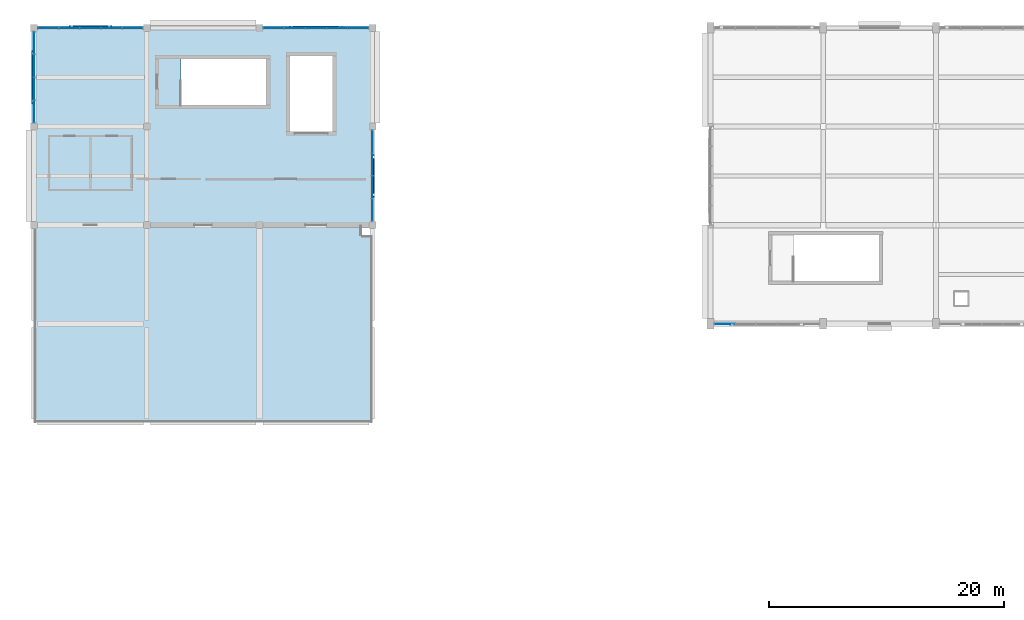
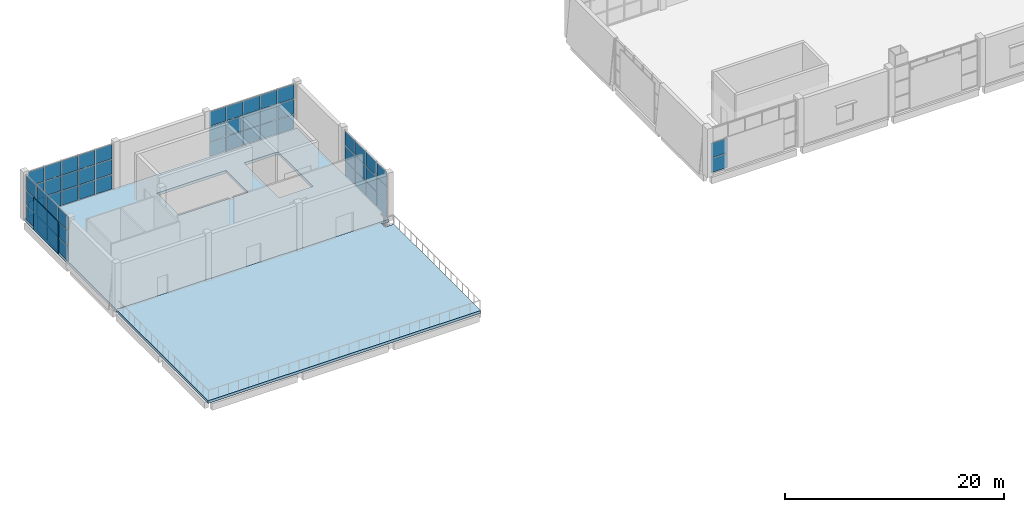
# One storey, part 31 of 57: 60 plates, 2 slabs, 5 elements without a shape of their own.
"""IFC4 building model written with IfcOpenShell, lengths in metres."""

from ifc_helpers import new_model, si_unit, direction, frame, origin, origin_2d, place, context, subcontext, project, spatial, polyline, rectangle, outline, extrude, material, layer, layer_set, type_object, element, aggregate, save


model = new_model("IFC4")

# Units and contexts
model_context = context("Model", 3, precision=1e-05, world=origin(), true_north=direction((0.0, 1.0)))
body_context = subcontext(model_context, "Body", "Model", "MODEL_VIEW")
ifc_project = project(units=[si_unit("LENGTHUNIT", "METRE"), si_unit("AREAUNIT", "SQUARE_METRE"), si_unit("VOLUMEUNIT", "CUBIC_METRE"), si_unit("PLANEANGLEUNIT", "RADIAN"), si_unit("MASSUNIT", "GRAM", prefix="KILO")], contexts=[model_context])

# Site, building, storey
site_placement = place(None, origin())
site = spatial("IfcSite", under=ifc_project, at=site_placement, CompositionType="ELEMENT")
building_placement = place(site_placement, origin())
building = spatial("IfcBuilding", under=site, at=building_placement, Name="Shalvenor Court Art Gallery", CompositionType="ELEMENT")
storey_placement = place(building_placement, frame((0.0, 0.0, 16.800048828125)))
storey = spatial("IfcBuildingStorey", under=building, at=storey_placement, Name="L03", CompositionType="ELEMENT", Elevation=16.800048828125)

# Curtain wall, plates
ifc_material_1 = material(Name="Anodised aluminium and low-iron glass curtain wall", Category="aluminium")
curtain_wall_type_1 = type_object("IfcCurtainWallType", Name="CW-5x3-90-51-411", PredefinedType="USERDEFINED", material=ifc_material_1)
curtain_wall_1_placement = place(storey_placement, origin())
curtain_wall_1 = element("IfcCurtainWall", 1, at=curtain_wall_1_placement, inside=storey, type_object=curtain_wall_type_1, Name="L03 V5 Curtain Wall CW-L03-186", ObjectType="CURTAIN WALL", PredefinedType="USERDEFINED")
ifc_material_2 = material(Name="Low-iron UV-laminated double glazing IGU", Category="glass")
ifc_layer_1 = layer(ifc_material_2, 0.028076171875, Name="Low-iron UV-laminated double glazing IGU")
ifc_layer_set_1 = layer_set([ifc_layer_1], Name="Low-iron UV-laminated double glazing IGU")
plate_type_1 = type_object("IfcPlateType", Name="CWP-01", PredefinedType="CURTAIN_PANEL", material=ifc_layer_set_1)
plate_1_placement = place(storey_placement, frame((1.21875, 122.39990234375, 0.06005859375), z_axis=(0.0, 0.0, 1.0), x_axis=(1.0, 0.0, 0.0)))
plate_1 = element("IfcPlate", 2, at=plate_1_placement, type_object=plate_type_1, Name="CW-5x3-90-51-411 panel 1.1", PredefinedType="CURTAIN_PANEL", context=body_context, shape_type="SweptSolid", body=[
    extrude(rectangle(XDim=1.6875, YDim=0.028076171875, at=origin_2d()), origin(), (0.0, 0.0, 1.0), 1.610107421875),
])
plate_2_placement = place(storey_placement, frame((1.21875, 122.39990234375, 1.72998046875), z_axis=(0.0, 0.0, 1.0), x_axis=(1.0, 0.0, 0.0)))
plate_2 = element("IfcPlate", 3, at=plate_2_placement, type_object=plate_type_1, Name="CW-5x3-90-51-411 panel 1.2", PredefinedType="CURTAIN_PANEL", context=body_context, shape_type="SweptSolid", body=[
    extrude(rectangle(XDim=1.6875, YDim=0.028076171875, at=origin_2d()), origin(), (0.0, 0.0, 1.0), 1.639892578125),
])
plate_3_placement = place(storey_placement, frame((1.21875, 122.39990234375, 3.4296875), z_axis=(0.0, 0.0, 1.0), x_axis=(1.0, 0.0, 0.0)))
plate_3 = element("IfcPlate", 4, at=plate_3_placement, type_object=plate_type_1, Name="CW-5x3-90-51-411 panel 1.3", PredefinedType="CURTAIN_PANEL", context=body_context, shape_type="SweptSolid", body=[
    extrude(rectangle(XDim=1.6875, YDim=0.028076171875, at=origin_2d()), origin(), (0.0, 0.0, 1.0), 1.610107421875),
])
plate_4_placement = place(storey_placement, frame((3.0, 122.39990234375, 0.06005859375), z_axis=(0.0, 0.0, 1.0), x_axis=(1.0, 0.0, 0.0)))
plate_4 = element("IfcPlate", 5, at=plate_4_placement, type_object=plate_type_1, Name="CW-5x3-90-51-411 panel 2.1", PredefinedType="CURTAIN_PANEL", context=body_context, shape_type="SweptSolid", body=[
    extrude(rectangle(XDim=1.72509765625, YDim=0.028076171875, at=origin_2d()), origin(), (0.0, 0.0, 1.0), 1.610107421875),
])
plate_5_placement = place(storey_placement, frame((3.0, 122.39990234375, 1.72998046875), z_axis=(0.0, 0.0, 1.0), x_axis=(1.0, 0.0, 0.0)))
plate_5 = element("IfcPlate", 6, at=plate_5_placement, type_object=plate_type_1, Name="CW-5x3-90-51-411 panel 2.2", PredefinedType="CURTAIN_PANEL", context=body_context, shape_type="SweptSolid", body=[
    extrude(rectangle(XDim=1.72509765625, YDim=0.028076171875, at=origin_2d()), origin(), (0.0, 0.0, 1.0), 1.639892578125),
])
plate_6_placement = place(storey_placement, frame((3.0, 122.39990234375, 3.4296875), z_axis=(0.0, 0.0, 1.0), x_axis=(1.0, 0.0, 0.0)))
plate_6 = element("IfcPlate", 7, at=plate_6_placement, type_object=plate_type_1, Name="CW-5x3-90-51-411 panel 2.3", PredefinedType="CURTAIN_PANEL", context=body_context, shape_type="SweptSolid", body=[
    extrude(rectangle(XDim=1.72509765625, YDim=0.028076171875, at=origin_2d()), origin(), (0.0, 0.0, 1.0), 1.610107421875),
])
plate_7_placement = place(storey_placement, frame((4.800048828125, 122.39990234375, 0.06005859375), z_axis=(0.0, 0.0, 1.0), x_axis=(1.0, 0.0, 0.0)))
plate_7 = element("IfcPlate", 8, at=plate_7_placement, type_object=plate_type_1, Name="CW-5x3-90-51-411 panel 3.1", PredefinedType="CURTAIN_PANEL", context=body_context, shape_type="SweptSolid", body=[
    extrude(rectangle(XDim=1.72509765625, YDim=0.028076171875, at=origin_2d()), origin(), (0.0, 0.0, 1.0), 1.610107421875),
])
plate_8_placement = place(storey_placement, frame((4.800048828125, 122.39990234375, 1.72998046875), z_axis=(0.0, 0.0, 1.0), x_axis=(1.0, 0.0, 0.0)))
plate_8 = element("IfcPlate", 9, at=plate_8_placement, type_object=plate_type_1, Name="CW-5x3-90-51-411 panel 3.2", PredefinedType="CURTAIN_PANEL", context=body_context, shape_type="SweptSolid", body=[
    extrude(rectangle(XDim=1.72509765625, YDim=0.028076171875, at=origin_2d()), origin(), (0.0, 0.0, 1.0), 1.639892578125),
])
plate_9_placement = place(storey_placement, frame((4.800048828125, 122.39990234375, 3.4296875), z_axis=(0.0, 0.0, 1.0), x_axis=(1.0, 0.0, 0.0)))
plate_9 = element("IfcPlate", 10, at=plate_9_placement, type_object=plate_type_1, Name="CW-5x3-90-51-411 panel 3.3", PredefinedType="CURTAIN_PANEL", context=body_context, shape_type="SweptSolid", body=[
    extrude(rectangle(XDim=1.72509765625, YDim=0.028076171875, at=origin_2d()), origin(), (0.0, 0.0, 1.0), 1.610107421875),
])
plate_10_placement = place(storey_placement, frame((6.60009765625, 122.39990234375, 0.06005859375), z_axis=(0.0, 0.0, 1.0), x_axis=(1.0, 0.0, 0.0)))
plate_10 = element("IfcPlate", 11, at=plate_10_placement, type_object=plate_type_1, Name="CW-5x3-90-51-411 panel 4.1", PredefinedType="CURTAIN_PANEL", context=body_context, shape_type="SweptSolid", body=[
    extrude(rectangle(XDim=1.72509765625, YDim=0.028076171875, at=origin_2d()), origin(), (0.0, 0.0, 1.0), 1.610107421875),
])
plate_11_placement = place(storey_placement, frame((6.60009765625, 122.39990234375, 1.72998046875), z_axis=(0.0, 0.0, 1.0), x_axis=(1.0, 0.0, 0.0)))
plate_11 = element("IfcPlate", 12, at=plate_11_placement, type_object=plate_type_1, Name="CW-5x3-90-51-411 panel 4.2", PredefinedType="CURTAIN_PANEL", context=body_context, shape_type="SweptSolid", body=[
    extrude(rectangle(XDim=1.72509765625, YDim=0.028076171875, at=origin_2d()), origin(), (0.0, 0.0, 1.0), 1.639892578125),
])
plate_12_placement = place(storey_placement, frame((6.60009765625, 122.39990234375, 3.4296875), z_axis=(0.0, 0.0, 1.0), x_axis=(1.0, 0.0, 0.0)))
plate_12 = element("IfcPlate", 13, at=plate_12_placement, type_object=plate_type_1, Name="CW-5x3-90-51-411 panel 4.3", PredefinedType="CURTAIN_PANEL", context=body_context, shape_type="SweptSolid", body=[
    extrude(rectangle(XDim=1.72509765625, YDim=0.028076171875, at=origin_2d()), origin(), (0.0, 0.0, 1.0), 1.610107421875),
])
plate_13_placement = place(storey_placement, frame((8.38134765625, 122.39990234375, 0.06005859375), z_axis=(0.0, 0.0, 1.0), x_axis=(1.0, 0.0, 0.0)))
plate_13 = element("IfcPlate", 14, at=plate_13_placement, type_object=plate_type_1, Name="CW-5x3-90-51-411 panel 5.1", PredefinedType="CURTAIN_PANEL", context=body_context, shape_type="SweptSolid", body=[
    extrude(rectangle(XDim=1.6875, YDim=0.028076171875, at=origin_2d()), origin(), (0.0, 0.0, 1.0), 1.610107421875),
])
plate_14_placement = place(storey_placement, frame((8.38134765625, 122.39990234375, 1.72998046875), z_axis=(0.0, 0.0, 1.0), x_axis=(1.0, 0.0, 0.0)))
plate_14 = element("IfcPlate", 15, at=plate_14_placement, type_object=plate_type_1, Name="CW-5x3-90-51-411 panel 5.2", PredefinedType="CURTAIN_PANEL", context=body_context, shape_type="SweptSolid", body=[
    extrude(rectangle(XDim=1.6875, YDim=0.028076171875, at=origin_2d()), origin(), (0.0, 0.0, 1.0), 1.639892578125),
])
plate_15_placement = place(storey_placement, frame((8.38134765625, 122.39990234375, 3.4296875), z_axis=(0.0, 0.0, 1.0), x_axis=(1.0, 0.0, 0.0)))
plate_15 = element("IfcPlate", 16, at=plate_15_placement, type_object=plate_type_1, Name="CW-5x3-90-51-411 panel 5.3", PredefinedType="CURTAIN_PANEL", context=body_context, shape_type="SweptSolid", body=[
    extrude(rectangle(XDim=1.6875, YDim=0.028076171875, at=origin_2d()), origin(), (0.0, 0.0, 1.0), 1.610107421875),
])
aggregate(curtain_wall_1, [plate_1, plate_2, plate_3, plate_4, plate_5, plate_6, plate_7, plate_8, plate_9, plate_10, plate_11, plate_12, plate_13, plate_14, plate_15])

ifc_material_3 = material(Name="Anodised aluminium and low-iron glass curtain wall", Category="aluminium")
curtain_wall_type_2 = type_object("IfcCurtainWallType", Name="CW-5x3-90-51-621", PredefinedType="USERDEFINED", material=ifc_material_3)
curtain_wall_2_placement = place(storey_placement, origin())
curtain_wall_2 = element("IfcCurtainWall", 17, at=curtain_wall_2_placement, inside=storey, type_object=curtain_wall_type_2, Name="L03 V5 Curtain Wall CW-L03-187", ObjectType="CURTAIN WALL", PredefinedType="USERDEFINED")
plate_16_placement = place(storey_placement, frame((20.413818359375, 122.39990234375, 0.06494140625), z_axis=(0.0, 0.0, 1.0), x_axis=(1.0, 0.0, 0.0)))
plate_16 = element("IfcPlate", 18, at=plate_16_placement, type_object=plate_type_1, Name="CW-5x3-90-51-621 panel 1.1", PredefinedType="CURTAIN_PANEL", context=body_context, shape_type="SweptSolid", body=[
    extrude(rectangle(XDim=1.717529296875, YDim=0.028076171875, at=origin_2d()), origin(), (0.0, 0.0, 1.0), 1.6025390625),
])
plate_17_placement = place(storey_placement, frame((20.413818359375, 122.39990234375, 1.732421875), z_axis=(0.0, 0.0, 1.0), x_axis=(1.0, 0.0, 0.0)))
plate_17 = element("IfcPlate", 19, at=plate_17_placement, type_object=plate_type_1, Name="CW-5x3-90-51-621 panel 1.2", PredefinedType="CURTAIN_PANEL", context=body_context, shape_type="SweptSolid", body=[
    extrude(rectangle(XDim=1.717529296875, YDim=0.028076171875, at=origin_2d()), origin(), (0.0, 0.0, 1.0), 1.635009765625),
])
plate_18_placement = place(storey_placement, frame((20.413818359375, 122.39990234375, 3.432373046875), z_axis=(0.0, 0.0, 1.0), x_axis=(1.0, 0.0, 0.0)))
plate_18 = element("IfcPlate", 20, at=plate_18_placement, type_object=plate_type_1, Name="CW-5x3-90-51-621 panel 1.3", PredefinedType="CURTAIN_PANEL", context=body_context, shape_type="SweptSolid", body=[
    extrude(rectangle(XDim=1.717529296875, YDim=0.028076171875, at=origin_2d()), origin(), (0.0, 0.0, 1.0), 1.6025390625),
])
plate_19_placement = place(storey_placement, frame((22.199951171875, 122.39990234375, 0.06494140625), z_axis=(0.0, 0.0, 1.0), x_axis=(1.0, 0.0, 0.0)))
plate_19 = element("IfcPlate", 21, at=plate_19_placement, type_object=plate_type_1, Name="CW-5x3-90-51-621 panel 2.1", PredefinedType="CURTAIN_PANEL", context=body_context, shape_type="SweptSolid", body=[
    extrude(rectangle(XDim=1.7451171875, YDim=0.028076171875, at=origin_2d()), origin(), (0.0, 0.0, 1.0), 1.6025390625),
])
plate_20_placement = place(storey_placement, frame((22.199951171875, 122.39990234375, 1.732421875), z_axis=(0.0, 0.0, 1.0), x_axis=(1.0, 0.0, 0.0)))
plate_20 = element("IfcPlate", 22, at=plate_20_placement, type_object=plate_type_1, Name="CW-5x3-90-51-621 panel 2.2", PredefinedType="CURTAIN_PANEL", context=body_context, shape_type="SweptSolid", body=[
    extrude(rectangle(XDim=1.7451171875, YDim=0.028076171875, at=origin_2d()), origin(), (0.0, 0.0, 1.0), 1.635009765625),
])
plate_21_placement = place(storey_placement, frame((22.199951171875, 122.39990234375, 3.432373046875), z_axis=(0.0, 0.0, 1.0), x_axis=(1.0, 0.0, 0.0)))
plate_21 = element("IfcPlate", 23, at=plate_21_placement, type_object=plate_type_1, Name="CW-5x3-90-51-621 panel 2.3", PredefinedType="CURTAIN_PANEL", context=body_context, shape_type="SweptSolid", body=[
    extrude(rectangle(XDim=1.7451171875, YDim=0.028076171875, at=origin_2d()), origin(), (0.0, 0.0, 1.0), 1.6025390625),
])
plate_22_placement = place(storey_placement, frame((24.0, 122.39990234375, 0.06494140625), z_axis=(0.0, 0.0, 1.0), x_axis=(1.0, 0.0, 0.0)))
plate_22 = element("IfcPlate", 24, at=plate_22_placement, type_object=plate_type_1, Name="CW-5x3-90-51-621 panel 3.1", PredefinedType="CURTAIN_PANEL", context=body_context, shape_type="SweptSolid", body=[
    extrude(rectangle(XDim=1.7451171875, YDim=0.028076171875, at=origin_2d()), origin(), (0.0, 0.0, 1.0), 1.6025390625),
])
plate_23_placement = place(storey_placement, frame((24.0, 122.39990234375, 1.732421875), z_axis=(0.0, 0.0, 1.0), x_axis=(1.0, 0.0, 0.0)))
plate_23 = element("IfcPlate", 25, at=plate_23_placement, type_object=plate_type_1, Name="CW-5x3-90-51-621 panel 3.2", PredefinedType="CURTAIN_PANEL", context=body_context, shape_type="SweptSolid", body=[
    extrude(rectangle(XDim=1.7451171875, YDim=0.028076171875, at=origin_2d()), origin(), (0.0, 0.0, 1.0), 1.635009765625),
])
plate_24_placement = place(storey_placement, frame((24.0, 122.39990234375, 3.432373046875), z_axis=(0.0, 0.0, 1.0), x_axis=(1.0, 0.0, 0.0)))
plate_24 = element("IfcPlate", 26, at=plate_24_placement, type_object=plate_type_1, Name="CW-5x3-90-51-621 panel 3.3", PredefinedType="CURTAIN_PANEL", context=body_context, shape_type="SweptSolid", body=[
    extrude(rectangle(XDim=1.7451171875, YDim=0.028076171875, at=origin_2d()), origin(), (0.0, 0.0, 1.0), 1.6025390625),
])
plate_25_placement = place(storey_placement, frame((25.800048828125, 122.39990234375, 0.06494140625), z_axis=(0.0, 0.0, 1.0), x_axis=(1.0, 0.0, 0.0)))
plate_25 = element("IfcPlate", 27, at=plate_25_placement, type_object=plate_type_1, Name="CW-5x3-90-51-621 panel 4.1", PredefinedType="CURTAIN_PANEL", context=body_context, shape_type="SweptSolid", body=[
    extrude(rectangle(XDim=1.7451171875, YDim=0.028076171875, at=origin_2d()), origin(), (0.0, 0.0, 1.0), 1.6025390625),
])
plate_26_placement = place(storey_placement, frame((25.800048828125, 122.39990234375, 1.732421875), z_axis=(0.0, 0.0, 1.0), x_axis=(1.0, 0.0, 0.0)))
plate_26 = element("IfcPlate", 28, at=plate_26_placement, type_object=plate_type_1, Name="CW-5x3-90-51-621 panel 4.2", PredefinedType="CURTAIN_PANEL", context=body_context, shape_type="SweptSolid", body=[
    extrude(rectangle(XDim=1.7451171875, YDim=0.028076171875, at=origin_2d()), origin(), (0.0, 0.0, 1.0), 1.635009765625),
])
plate_27_placement = place(storey_placement, frame((25.800048828125, 122.39990234375, 3.432373046875), z_axis=(0.0, 0.0, 1.0), x_axis=(1.0, 0.0, 0.0)))
plate_27 = element("IfcPlate", 29, at=plate_27_placement, type_object=plate_type_1, Name="CW-5x3-90-51-621 panel 4.3", PredefinedType="CURTAIN_PANEL", context=body_context, shape_type="SweptSolid", body=[
    extrude(rectangle(XDim=1.7451171875, YDim=0.028076171875, at=origin_2d()), origin(), (0.0, 0.0, 1.0), 1.6025390625),
])
plate_28_placement = place(storey_placement, frame((27.586181640625, 122.39990234375, 0.06494140625), z_axis=(0.0, 0.0, 1.0), x_axis=(1.0, 0.0, 0.0)))
plate_28 = element("IfcPlate", 30, at=plate_28_placement, type_object=plate_type_1, Name="CW-5x3-90-51-621 panel 5.1", PredefinedType="CURTAIN_PANEL", context=body_context, shape_type="SweptSolid", body=[
    extrude(rectangle(XDim=1.717529296875, YDim=0.028076171875, at=origin_2d()), origin(), (0.0, 0.0, 1.0), 1.6025390625),
])
plate_29_placement = place(storey_placement, frame((27.586181640625, 122.39990234375, 1.732421875), z_axis=(0.0, 0.0, 1.0), x_axis=(1.0, 0.0, 0.0)))
plate_29 = element("IfcPlate", 31, at=plate_29_placement, type_object=plate_type_1, Name="CW-5x3-90-51-621 panel 5.2", PredefinedType="CURTAIN_PANEL", context=body_context, shape_type="SweptSolid", body=[
    extrude(rectangle(XDim=1.717529296875, YDim=0.028076171875, at=origin_2d()), origin(), (0.0, 0.0, 1.0), 1.635009765625),
])
plate_30_placement = place(storey_placement, frame((27.586181640625, 122.39990234375, 3.432373046875), z_axis=(0.0, 0.0, 1.0), x_axis=(1.0, 0.0, 0.0)))
plate_30 = element("IfcPlate", 32, at=plate_30_placement, type_object=plate_type_1, Name="CW-5x3-90-51-621 panel 5.3", PredefinedType="CURTAIN_PANEL", context=body_context, shape_type="SweptSolid", body=[
    extrude(rectangle(XDim=1.717529296875, YDim=0.028076171875, at=origin_2d()), origin(), (0.0, 0.0, 1.0), 1.6025390625),
])
aggregate(curtain_wall_2, [plate_16, plate_17, plate_18, plate_19, plate_20, plate_21, plate_22, plate_23, plate_24, plate_25, plate_26, plate_27, plate_28, plate_29, plate_30])

ifc_material_4 = material(Name="Anodised aluminium and low-iron glass curtain wall", Category="aluminium")
curtain_wall_type_3 = type_object("IfcCurtainWallType", Name="CW-4x3-78-51-141", PredefinedType="USERDEFINED", material=ifc_material_4)
curtain_wall_3_placement = place(storey_placement, origin())
curtain_wall_3 = element("IfcCurtainWall", 33, at=curtain_wall_3_placement, inside=storey, type_object=curtain_wall_type_3, Name="L03 V5 Curtain Wall CW-L03-188", ObjectType="CURTAIN WALL", PredefinedType="USERDEFINED")
plate_31_placement = place(storey_placement, frame((28.800048828125, 112.708740234375, 0.06982421875), z_axis=(0.0, 0.0, 1.0), x_axis=(0.0, -1.0, 0.0)))
plate_31 = element("IfcPlate", 34, at=plate_31_placement, type_object=plate_type_1, Name="CW-4x3-78-51-141 panel 1.1", PredefinedType="CURTAIN_PANEL", context=body_context, shape_type="SweptSolid", body=[
    extrude(rectangle(XDim=1.8525390625, YDim=0.028076171875, at=origin_2d()), origin(), (0.0, 0.0, 1.0), 1.594970703125),
])
plate_32_placement = place(storey_placement, frame((28.800048828125, 112.708740234375, 1.735107421875), z_axis=(0.0, 0.0, 1.0), x_axis=(0.0, -1.0, 0.0)))
plate_32 = element("IfcPlate", 35, at=plate_32_placement, type_object=plate_type_1, Name="CW-4x3-78-51-141 panel 1.2", PredefinedType="CURTAIN_PANEL", context=body_context, shape_type="SweptSolid", body=[
    extrude(rectangle(XDim=1.8525390625, YDim=0.028076171875, at=origin_2d()), origin(), (0.0, 0.0, 1.0), 1.6298828125),
])
plate_33_placement = place(storey_placement, frame((28.800048828125, 112.708740234375, 3.43505859375), z_axis=(0.0, 0.0, 1.0), x_axis=(0.0, -1.0, 0.0)))
plate_33 = element("IfcPlate", 36, at=plate_33_placement, type_object=plate_type_1, Name="CW-4x3-78-51-141 panel 1.3", PredefinedType="CURTAIN_PANEL", context=body_context, shape_type="SweptSolid", body=[
    extrude(rectangle(XDim=1.8525390625, YDim=0.028076171875, at=origin_2d()), origin(), (0.0, 0.0, 1.0), 1.594970703125),
])
plate_34_placement = place(storey_placement, frame((28.800048828125, 110.77490234375, 0.06982421875), z_axis=(0.0, 0.0, 1.0), x_axis=(0.0, -1.0, 0.0)))
plate_34 = element("IfcPlate", 37, at=plate_34_placement, type_object=plate_type_1, Name="CW-4x3-78-51-141 panel 2.1", PredefinedType="CURTAIN_PANEL", context=body_context, shape_type="SweptSolid", body=[
    extrude(rectangle(XDim=1.885009765625, YDim=0.028076171875, at=origin_2d()), origin(), (0.0, 0.0, 1.0), 1.594970703125),
])
plate_35_placement = place(storey_placement, frame((28.800048828125, 110.77490234375, 1.735107421875), z_axis=(0.0, 0.0, 1.0), x_axis=(0.0, -1.0, 0.0)))
plate_35 = element("IfcPlate", 38, at=plate_35_placement, type_object=plate_type_1, Name="CW-4x3-78-51-141 panel 2.2", PredefinedType="CURTAIN_PANEL", context=body_context, shape_type="SweptSolid", body=[
    extrude(rectangle(XDim=1.885009765625, YDim=0.028076171875, at=origin_2d()), origin(), (0.0, 0.0, 1.0), 1.6298828125),
])
plate_36_placement = place(storey_placement, frame((28.800048828125, 110.77490234375, 3.43505859375), z_axis=(0.0, 0.0, 1.0), x_axis=(0.0, -1.0, 0.0)))
plate_36 = element("IfcPlate", 39, at=plate_36_placement, type_object=plate_type_1, Name="CW-4x3-78-51-141 panel 2.3", PredefinedType="CURTAIN_PANEL", context=body_context, shape_type="SweptSolid", body=[
    extrude(rectangle(XDim=1.885009765625, YDim=0.028076171875, at=origin_2d()), origin(), (0.0, 0.0, 1.0), 1.594970703125),
])
plate_37_placement = place(storey_placement, frame((28.800048828125, 108.824951171875, 0.06982421875), z_axis=(0.0, 0.0, 1.0), x_axis=(0.0, -1.0, 0.0)))
plate_37 = element("IfcPlate", 40, at=plate_37_placement, type_object=plate_type_1, Name="CW-4x3-78-51-141 panel 3.1", PredefinedType="CURTAIN_PANEL", context=body_context, shape_type="SweptSolid", body=[
    extrude(rectangle(XDim=1.885009765625, YDim=0.028076171875, at=origin_2d()), origin(), (0.0, 0.0, 1.0), 1.594970703125),
])
plate_38_placement = place(storey_placement, frame((28.800048828125, 108.824951171875, 1.735107421875), z_axis=(0.0, 0.0, 1.0), x_axis=(0.0, -1.0, 0.0)))
plate_38 = element("IfcPlate", 41, at=plate_38_placement, type_object=plate_type_1, Name="CW-4x3-78-51-141 panel 3.2", PredefinedType="CURTAIN_PANEL", context=body_context, shape_type="SweptSolid", body=[
    extrude(rectangle(XDim=1.885009765625, YDim=0.028076171875, at=origin_2d()), origin(), (0.0, 0.0, 1.0), 1.6298828125),
])
plate_39_placement = place(storey_placement, frame((28.800048828125, 108.824951171875, 3.43505859375), z_axis=(0.0, 0.0, 1.0), x_axis=(0.0, -1.0, 0.0)))
plate_39 = element("IfcPlate", 42, at=plate_39_placement, type_object=plate_type_1, Name="CW-4x3-78-51-141 panel 3.3", PredefinedType="CURTAIN_PANEL", context=body_context, shape_type="SweptSolid", body=[
    extrude(rectangle(XDim=1.885009765625, YDim=0.028076171875, at=origin_2d()), origin(), (0.0, 0.0, 1.0), 1.594970703125),
])
plate_40_placement = place(storey_placement, frame((28.800048828125, 106.891357421875, 0.06982421875), z_axis=(0.0, 0.0, 1.0), x_axis=(0.0, -1.0, 0.0)))
plate_40 = element("IfcPlate", 43, at=plate_40_placement, type_object=plate_type_1, Name="CW-4x3-78-51-141 panel 4.1", PredefinedType="CURTAIN_PANEL", context=body_context, shape_type="SweptSolid", body=[
    extrude(rectangle(XDim=1.8525390625, YDim=0.028076171875, at=origin_2d()), origin(), (0.0, 0.0, 1.0), 1.594970703125),
])
plate_41_placement = place(storey_placement, frame((28.800048828125, 106.891357421875, 1.735107421875), z_axis=(0.0, 0.0, 1.0), x_axis=(0.0, -1.0, 0.0)))
plate_41 = element("IfcPlate", 44, at=plate_41_placement, type_object=plate_type_1, Name="CW-4x3-78-51-141 panel 4.2", PredefinedType="CURTAIN_PANEL", context=body_context, shape_type="SweptSolid", body=[
    extrude(rectangle(XDim=1.8525390625, YDim=0.028076171875, at=origin_2d()), origin(), (0.0, 0.0, 1.0), 1.6298828125),
])
plate_42_placement = place(storey_placement, frame((28.800048828125, 106.891357421875, 3.43505859375), z_axis=(0.0, 0.0, 1.0), x_axis=(0.0, -1.0, 0.0)))
plate_42 = element("IfcPlate", 45, at=plate_42_placement, type_object=plate_type_1, Name="CW-4x3-78-51-141 panel 4.3", PredefinedType="CURTAIN_PANEL", context=body_context, shape_type="SweptSolid", body=[
    extrude(rectangle(XDim=1.8525390625, YDim=0.028076171875, at=origin_2d()), origin(), (0.0, 0.0, 1.0), 1.594970703125),
])
aggregate(curtain_wall_3, [plate_31, plate_32, plate_33, plate_34, plate_35, plate_36, plate_37, plate_38, plate_39, plate_40, plate_41, plate_42])

ifc_material_5 = material(Name="Anodised aluminium and low-iron glass curtain wall", Category="aluminium")
curtain_wall_type_4 = type_object("IfcCurtainWallType", Name="CW-4x3-78-51-211", PredefinedType="USERDEFINED", material=ifc_material_5)
curtain_wall_4_placement = place(storey_placement, origin())
curtain_wall_4 = element("IfcCurtainWall", 46, at=curtain_wall_4_placement, inside=storey, type_object=curtain_wall_type_4, Name="L03 V5 Curtain Wall CW-L03-189", ObjectType="CURTAIN WALL", PredefinedType="USERDEFINED")
plate_43_placement = place(storey_placement, frame((0.0, 115.29248046875, 0.06005859375), z_axis=(0.0, 0.0, 1.0), x_axis=(0.0, 1.0, 0.0)))
plate_43 = element("IfcPlate", 47, at=plate_43_placement, type_object=plate_type_1, Name="CW-4x3-78-51-211 panel 1.1", PredefinedType="CURTAIN_PANEL", context=body_context, shape_type="SweptSolid", body=[
    extrude(rectangle(XDim=1.844970703125, YDim=0.028076171875, at=origin_2d()), origin(), (0.0, 0.0, 1.0), 1.610107421875),
])
plate_44_placement = place(storey_placement, frame((0.0, 115.29248046875, 1.72998046875), z_axis=(0.0, 0.0, 1.0), x_axis=(0.0, 1.0, 0.0)))
plate_44 = element("IfcPlate", 48, at=plate_44_placement, type_object=plate_type_1, Name="CW-4x3-78-51-211 panel 1.2", PredefinedType="CURTAIN_PANEL", context=body_context, shape_type="SweptSolid", body=[
    extrude(rectangle(XDim=1.844970703125, YDim=0.028076171875, at=origin_2d()), origin(), (0.0, 0.0, 1.0), 1.639892578125),
])
plate_45_placement = place(storey_placement, frame((0.0, 115.29248046875, 3.4296875), z_axis=(0.0, 0.0, 1.0), x_axis=(0.0, 1.0, 0.0)))
plate_45 = element("IfcPlate", 49, at=plate_45_placement, type_object=plate_type_1, Name="CW-4x3-78-51-211 panel 1.3", PredefinedType="CURTAIN_PANEL", context=body_context, shape_type="SweptSolid", body=[
    extrude(rectangle(XDim=1.844970703125, YDim=0.028076171875, at=origin_2d()), origin(), (0.0, 0.0, 1.0), 1.610107421875),
])
plate_46_placement = place(storey_placement, frame((0.0, 117.22509765625, 0.06005859375), z_axis=(0.0, 0.0, 1.0), x_axis=(0.0, 1.0, 0.0)))
plate_46 = element("IfcPlate", 50, at=plate_46_placement, type_object=plate_type_1, Name="CW-4x3-78-51-211 panel 2.1", PredefinedType="CURTAIN_PANEL", context=body_context, shape_type="SweptSolid", body=[
    extrude(rectangle(XDim=1.8798828125, YDim=0.028076171875, at=origin_2d()), origin(), (0.0, 0.0, 1.0), 1.610107421875),
])
plate_47_placement = place(storey_placement, frame((0.0, 117.22509765625, 1.72998046875), z_axis=(0.0, 0.0, 1.0), x_axis=(0.0, 1.0, 0.0)))
plate_47 = element("IfcPlate", 51, at=plate_47_placement, type_object=plate_type_1, Name="CW-4x3-78-51-211 panel 2.2", PredefinedType="CURTAIN_PANEL", context=body_context, shape_type="SweptSolid", body=[
    extrude(rectangle(XDim=1.8798828125, YDim=0.028076171875, at=origin_2d()), origin(), (0.0, 0.0, 1.0), 1.639892578125),
])
plate_48_placement = place(storey_placement, frame((0.0, 117.22509765625, 3.4296875), z_axis=(0.0, 0.0, 1.0), x_axis=(0.0, 1.0, 0.0)))
plate_48 = element("IfcPlate", 52, at=plate_48_placement, type_object=plate_type_1, Name="CW-4x3-78-51-211 panel 2.3", PredefinedType="CURTAIN_PANEL", context=body_context, shape_type="SweptSolid", body=[
    extrude(rectangle(XDim=1.8798828125, YDim=0.028076171875, at=origin_2d()), origin(), (0.0, 0.0, 1.0), 1.610107421875),
])
plate_49_placement = place(storey_placement, frame((0.0, 119.175048828125, 0.06005859375), z_axis=(0.0, 0.0, 1.0), x_axis=(0.0, 1.0, 0.0)))
plate_49 = element("IfcPlate", 53, at=plate_49_placement, type_object=plate_type_1, Name="CW-4x3-78-51-211 panel 3.1", PredefinedType="CURTAIN_PANEL", context=body_context, shape_type="SweptSolid", body=[
    extrude(rectangle(XDim=1.8798828125, YDim=0.028076171875, at=origin_2d()), origin(), (0.0, 0.0, 1.0), 1.610107421875),
])
plate_50_placement = place(storey_placement, frame((0.0, 119.175048828125, 1.72998046875), z_axis=(0.0, 0.0, 1.0), x_axis=(0.0, 1.0, 0.0)))
plate_50 = element("IfcPlate", 54, at=plate_50_placement, type_object=plate_type_1, Name="CW-4x3-78-51-211 panel 3.2", PredefinedType="CURTAIN_PANEL", context=body_context, shape_type="SweptSolid", body=[
    extrude(rectangle(XDim=1.8798828125, YDim=0.028076171875, at=origin_2d()), origin(), (0.0, 0.0, 1.0), 1.639892578125),
])
plate_51_placement = place(storey_placement, frame((0.0, 119.175048828125, 3.4296875), z_axis=(0.0, 0.0, 1.0), x_axis=(0.0, 1.0, 0.0)))
plate_51 = element("IfcPlate", 55, at=plate_51_placement, type_object=plate_type_1, Name="CW-4x3-78-51-211 panel 3.3", PredefinedType="CURTAIN_PANEL", context=body_context, shape_type="SweptSolid", body=[
    extrude(rectangle(XDim=1.8798828125, YDim=0.028076171875, at=origin_2d()), origin(), (0.0, 0.0, 1.0), 1.610107421875),
])
plate_52_placement = place(storey_placement, frame((0.0, 121.107421875, 0.06005859375), z_axis=(0.0, 0.0, 1.0), x_axis=(0.0, 1.0, 0.0)))
plate_52 = element("IfcPlate", 56, at=plate_52_placement, type_object=plate_type_1, Name="CW-4x3-78-51-211 panel 4.1", PredefinedType="CURTAIN_PANEL", context=body_context, shape_type="SweptSolid", body=[
    extrude(rectangle(XDim=1.844970703125, YDim=0.028076171875, at=origin_2d()), origin(), (0.0, 0.0, 1.0), 1.610107421875),
])
plate_53_placement = place(storey_placement, frame((0.0, 121.107421875, 1.72998046875), z_axis=(0.0, 0.0, 1.0), x_axis=(0.0, 1.0, 0.0)))
plate_53 = element("IfcPlate", 57, at=plate_53_placement, type_object=plate_type_1, Name="CW-4x3-78-51-211 panel 4.2", PredefinedType="CURTAIN_PANEL", context=body_context, shape_type="SweptSolid", body=[
    extrude(rectangle(XDim=1.844970703125, YDim=0.028076171875, at=origin_2d()), origin(), (0.0, 0.0, 1.0), 1.639892578125),
])
plate_54_placement = place(storey_placement, frame((0.0, 121.107421875, 3.4296875), z_axis=(0.0, 0.0, 1.0), x_axis=(0.0, 1.0, 0.0)))
plate_54 = element("IfcPlate", 58, at=plate_54_placement, type_object=plate_type_1, Name="CW-4x3-78-51-211 panel 4.3", PredefinedType="CURTAIN_PANEL", context=body_context, shape_type="SweptSolid", body=[
    extrude(rectangle(XDim=1.844970703125, YDim=0.028076171875, at=origin_2d()), origin(), (0.0, 0.0, 1.0), 1.610107421875),
])
aggregate(curtain_wall_4, [plate_43, plate_44, plate_45, plate_46, plate_47, plate_48, plate_49, plate_50, plate_51, plate_52, plate_53, plate_54])

ifc_material_6 = material(Name="Anodised aluminium and low-iron glass curtain wall", Category="aluminium")
curtain_wall_type_5 = type_object("IfcCurtainWallType", Name="CW-5x3-90-51-122", PredefinedType="USERDEFINED", material=ifc_material_6)
curtain_wall_5_placement = place(storey_placement, origin())
curtain_wall_5 = element("IfcCurtainWall", 59, at=curtain_wall_5_placement, inside=storey, type_object=curtain_wall_type_5, Name="L03 V2 Curtain Wall CW-L03-088", ObjectType="CURTAIN WALL", PredefinedType="USERDEFINED")
ifc_material_7 = material(Name="Low-iron triple-silver solar gallery glazing IGU", Category="glass")
ifc_layer_2 = layer(ifc_material_7, 0.031982421875, Name="Low-iron triple-silver solar gallery glazing IGU")
ifc_layer_set_2 = layer_set([ifc_layer_2], Name="Low-iron triple-silver solar gallery glazing IGU")
plate_type_2 = type_object("IfcPlateType", Name="CWP-02", PredefinedType="CURTAIN_PANEL", material=ifc_layer_set_2)
plate_55_placement = place(storey_placement, frame((58.816162109375, 97.199951171875, 0.06494140625), z_axis=(0.0, 0.0, 1.0), x_axis=(-1.0, 0.0, 0.0)))
plate_55 = element("IfcPlate", 60, at=plate_55_placement, type_object=plate_type_2, Name="CW-5x3-90-51-122 panel 5.1", PredefinedType="CURTAIN_PANEL", context=body_context, shape_type="SweptSolid", body=[
    extrude(rectangle(XDim=1.702392578125, YDim=0.031982421875, at=origin_2d()), origin(), (0.0, 0.0, 1.0), 1.6025390625),
])
plate_56_placement = place(storey_placement, frame((58.816162109375, 97.199951171875, 1.732421875), z_axis=(0.0, 0.0, 1.0), x_axis=(-1.0, 0.0, 0.0)))
plate_56 = element("IfcPlate", 61, at=plate_56_placement, type_object=plate_type_2, Name="CW-5x3-90-51-122 panel 5.2", PredefinedType="CURTAIN_PANEL", context=body_context, shape_type="SweptSolid", body=[
    extrude(rectangle(XDim=1.702392578125, YDim=0.031982421875, at=origin_2d()), origin(), (0.0, 0.0, 1.0), 1.635009765625),
])
aggregate(curtain_wall_5, [plate_55, plate_56])

# Slab
ifc_material_8 = material(Name="Concrete C40/50", Category="concrete")
ifc_layer_3 = layer(ifc_material_8, 0.300048828125, Name="Concrete C40/50")
ifc_layer_set_3 = layer_set([ifc_layer_3], Name="Concrete C40/50")
slab_type_1 = type_object("IfcSlabType", Name="FS-300", PredefinedType="FLOOR", material=ifc_layer_set_3)
slab_1_placement = place(storey_placement, frame((0.0, 0.0, -0.300048828125)))
element("IfcSlab", 62, at=slab_1_placement, inside=storey, type_object=slab_type_1, Name="L03 V5 Floor Slab 1", PredefinedType="FLOOR", context=body_context, shape_type="SweptSolid", body=[
    extrude(outline(polyline([(28.800048828125, 122.39990234375), (28.800048828125, 105.60009765625), (0.0, 105.60009765625), (0.0, 122.39990234375), (28.800048828125, 122.39990234375)]), holes=[polyline([(12.510986328125, 115.800048828125), (19.800048828125, 115.800048828125), (19.800048828125, 119.800048828125), (12.510986328125, 119.800048828125), (12.510986328125, 115.800048828125)]), polyline([(21.800048828125, 120.0), (21.800048828125, 113.60009765625), (25.39990234375, 113.60009765625), (25.39990234375, 120.0), (21.800048828125, 120.0)])]), origin(), (0.0, 0.0, 1.0), 0.300048828125),
])

# Plates
ifc_material_9 = material(Name="Perforated pale limestone GRC lattice", Category="masonry")
ifc_layer_4 = layer(ifc_material_9, 0.090087890625, Name="Perforated pale limestone GRC lattice")
ifc_layer_set_4 = layer_set([ifc_layer_4], Name="Perforated pale limestone GRC lattice")
plate_type_3 = type_object("IfcPlateType", Name="SCR-01", PredefinedType="USERDEFINED", material=ifc_layer_set_4)
for number, where, z_axis, x_axis, name in (
    (63, (4.800048828125, 122.552978515625, 0.0), (0.0, 0.0, 1.0), (1.0, 0.0, 0.0), "L03 V5 Perforated Stone Lattice Screen PLT-SCR-0155"),
    (64, (28.93310546875, 109.800048828125, 0.0), (0.0, 0.0, 1.0), (0.0, -1.0, 0.0), "L03 V5 Perforated Stone Lattice Screen PLT-SCR-0157"),
):
    element("IfcPlate", number, at=place(storey_placement, frame(where, z_axis=z_axis, x_axis=x_axis)), inside=storey, type_object=plate_type_3, Name=name, ObjectType="SCREEN", PredefinedType="USERDEFINED", context=body_context, shape_type="SweptSolid", body=[
        extrude(rectangle(XDim=3.60009765625, YDim=0.090087890625, at=origin_2d()), origin(), (0.0, 0.0, 1.0), 3.60009765625),
    ])
ifc_material_10 = material(Name="Perforated pale limestone GRC lattice", Category="masonry")
ifc_layer_5 = layer(ifc_material_10, 0.090087890625, Name="Perforated pale limestone GRC lattice")
ifc_layer_set_5 = layer_set([ifc_layer_5], Name="Perforated pale limestone GRC lattice")
plate_type_4 = type_object("IfcPlateType", Name="SCR-02", PredefinedType="USERDEFINED", material=ifc_layer_set_5)
for number, where, z_axis, x_axis, name in (
    (65, (24.0, 122.512939453125, 0.0), (0.0, 0.0, 1.0), (1.0, 0.0, 0.0), "L03 V5 Perforated Stone Lattice Screen PLT-SCR-0156"),
    (66, (-0.14306640625, 118.199951171875, 0.0), (0.0, 0.0, 1.0), (0.0, 1.0, 0.0), "L03 V5 Perforated Stone Lattice Screen PLT-SCR-0158"),
):
    element("IfcPlate", number, at=place(storey_placement, frame(where, z_axis=z_axis, x_axis=x_axis)), inside=storey, type_object=plate_type_4, Name=name, ObjectType="SCREEN", PredefinedType="USERDEFINED", context=body_context, shape_type="SweptSolid", body=[
        extrude(rectangle(XDim=4.5, YDim=0.090087890625, at=origin_2d()), origin(), (0.0, 0.0, 1.0), 3.60009765625),
    ])

# Slab
ifc_material_11 = material(Name="Concrete C40/50", Category="concrete")
ifc_layer_6 = layer(ifc_material_11, 0.300048828125, Name="Concrete C40/50")
ifc_layer_set_6 = layer_set([ifc_layer_6], Name="Concrete C40/50")
slab_type_2 = type_object("IfcSlabType", Name="TS-300", PredefinedType="FLOOR", material=ifc_layer_set_6)
slab_2_placement = place(storey_placement, frame((0.0, 0.0, -0.300048828125)))
element("IfcSlab", 67, at=slab_2_placement, inside=storey, type_object=slab_type_2, Name="L03 V5 Outdoor Sculpture Terrace", PredefinedType="FLOOR", context=body_context, shape_type="SweptSolid", body=[
    extrude(outline(polyline([(28.800048828125, 88.800048828125), (0.0, 88.800048828125), (0.0, 105.60009765625), (27.89990234375, 105.60009765625), (27.89990234375, 104.699951171875), (28.800048828125, 104.699951171875), (28.800048828125, 88.800048828125)])), origin(), (0.0, 0.0, 1.0), 0.300048828125),
])

save(model, "model.ifc")
